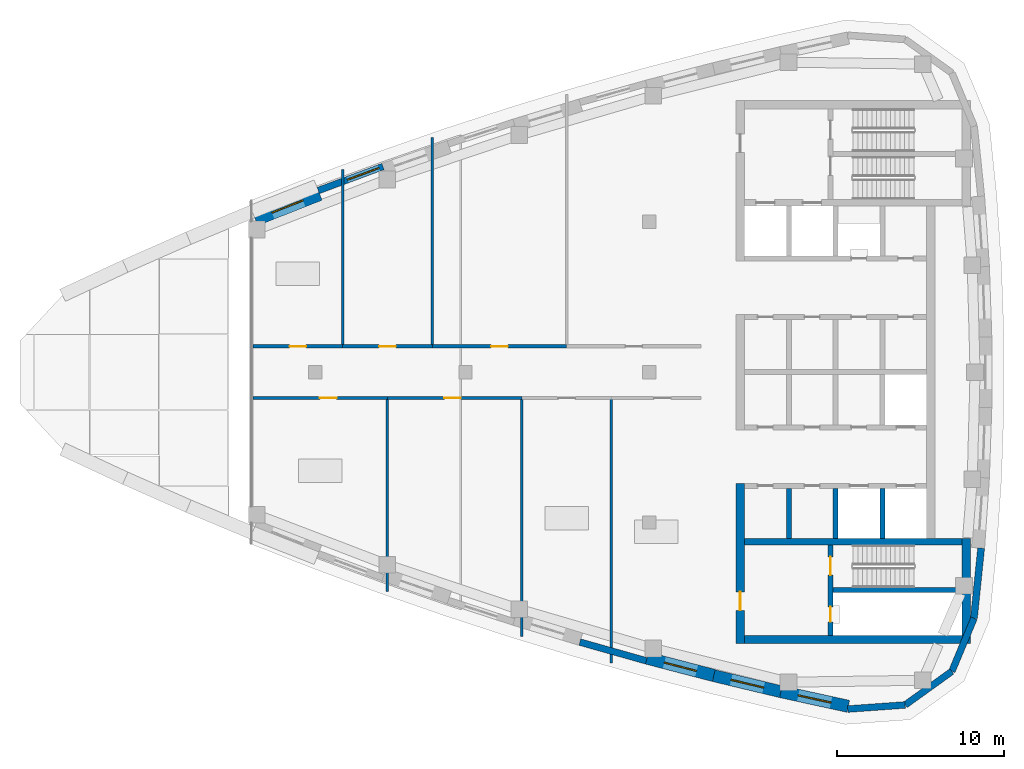
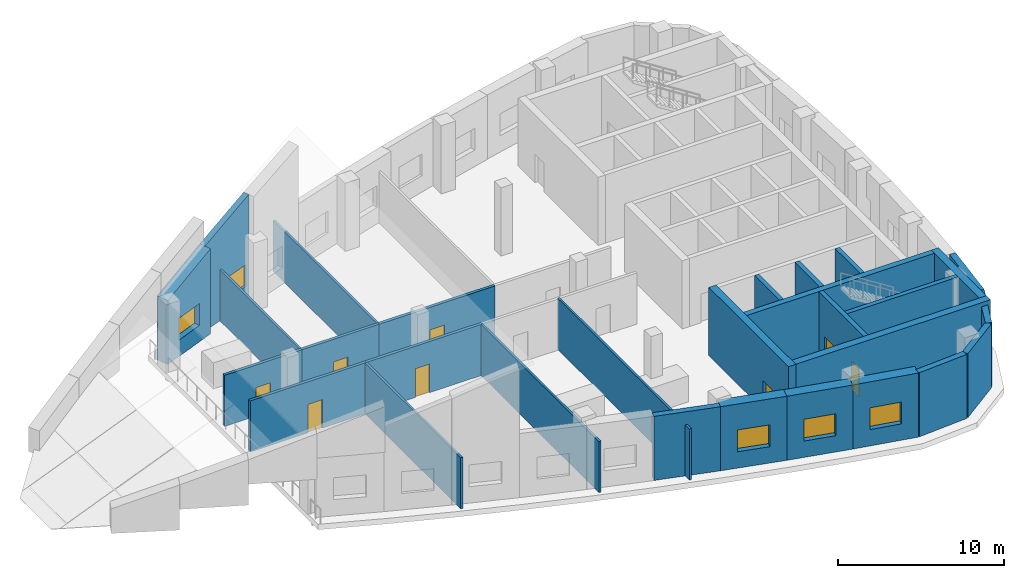
# One storey, part 2 of 8: 29 walls, 8 doors, 5 windows, 13 openings.
"""IFC4 building model written with IfcOpenShell, lengths in metres."""

from ifc_helpers import new_model, si_unit, direction, frame, frame_2d, origin, place, context, subcontext, project, spatial, polyline, rectangle, outline, extrude, material, layer, layer_set, type_object, element, fill, save


model = new_model("IFC4")

# Units and contexts
model_context = context("Model", 3, precision=1e-05, world=origin(), true_north=direction((0.0, 1.0)))
body_context = subcontext(model_context, "Body", "Model", "MODEL_VIEW")
ifc_project = project(units=[si_unit("LENGTHUNIT", "METRE"), si_unit("AREAUNIT", "SQUARE_METRE"), si_unit("VOLUMEUNIT", "CUBIC_METRE"), si_unit("PLANEANGLEUNIT", "RADIAN"), si_unit("MASSUNIT", "GRAM", prefix="KILO")], contexts=[model_context])

# Site, building, storey
site_placement = place(None, origin())
site = spatial("IfcSite", under=ifc_project, at=site_placement, CompositionType="ELEMENT")
building_placement = place(site_placement, origin())
building = spatial("IfcBuilding", under=site, at=building_placement, Name="Ostrand Prow Hotel Tower", CompositionType="ELEMENT")
storey_placement = place(building_placement, frame((0.0, 0.0, 327.39990234375)))
storey = spatial("IfcBuildingStorey", under=building, at=storey_placement, Name="C5", CompositionType="ELEMENT", Elevation=327.39990234375)

# Walls
ifc_material_1 = material(Name="Concrete C40/50", Category="concrete")
ifc_layer_1 = layer(ifc_material_1, 0.300048828125)
ifc_layer_set_1 = layer_set([ifc_layer_1], Name="Concrete C40/50")
wall_type_1 = type_object("IfcWallType", Name="Core wall 300 C40/50", PredefinedType="SHEAR", material=ifc_layer_set_1)
for number, where, z_axis, x_axis, name in (
    (1, (53.35009765625, -9.949951171875, 0.0), (0.0, 0.0, 1.0), (0.0, 1.0, 0.0), "Core wall PW-R1-SA"),
    (2, (56.14990234375, -9.949951171875, 0.0), (0.0, 0.0, 1.0), (0.0, 1.0, 0.0), "Core wall PW-R2-SA"),
    (3, (58.949951171875, -9.949951171875, 0.0), (0.0, 0.0, 1.0), (0.0, 1.0, 0.0), "Core wall PW-R3-SA"),
):
    element("IfcWall", number, at=place(storey_placement, frame(where, z_axis=z_axis, x_axis=x_axis)), inside=storey, type_object=wall_type_1, Name=name, PredefinedType="SHEAR", context=body_context, shape_type="SweptSolid", body=[
        extrude(rectangle(XDim=3.0, YDim=0.300048828125, at=frame_2d((1.5, 0.0))), origin(), (0.0, 0.0, 1.0), 5.0),
    ])

# Wall, openings, doors
wall_1_placement = place(storey_placement, frame((55.85009765625, -15.75, 0.0), z_axis=(0.0, 0.0, 1.0), x_axis=(0.0, 1.0, 0.0)))
wall_1 = element("IfcWall", 4, at=wall_1_placement, inside=storey, type_object=wall_type_1, Name="Core wall PW-VS", PredefinedType="SHEAR", context=body_context, shape_type="SweptSolid", body=[
    extrude(rectangle(XDim=5.39990234375, YDim=0.300048828125, at=frame_2d((2.699951171875, 0.0))), origin(), (0.0, 0.0, 1.0), 5.0),
])
opening_1_placement = place(wall_1_placement, frame((3.60009765625, 0.0, 0.0)))
opening_1 = element("IfcOpeningElement", 5, at=opening_1_placement, cuts=wall_1, Name="Opening FD1", PredefinedType="OPENING", context=body_context, shape_type="SweptSolid", body=[
    extrude(rectangle(XDim=1.10009765625, YDim=2.10009765625, at=frame_2d((0.550048828125, 1.050048828125))), frame((0.0, 0.159912109375, 0.0), z_axis=(0.0, -1.0, 0.0), x_axis=(1.0, 0.0, 0.0)), (0.0, 0.0, 1.0), 0.320068359375),
])
opening_2_placement = place(wall_1_placement, frame((0.800048828125, 0.0, 0.0)))
opening_2 = element("IfcOpeningElement", 6, at=opening_2_placement, cuts=wall_1, Name="Opening FD2", PredefinedType="OPENING", context=body_context, shape_type="SweptSolid", body=[
    extrude(rectangle(XDim=0.89990234375, YDim=2.10009765625, at=frame_2d((0.449951171875, 1.050048828125))), frame((0.0, 0.159912109375, 0.0), z_axis=(0.0, -1.0, 0.0), x_axis=(1.0, 0.0, 0.0)), (0.0, 0.0, 1.0), 0.320068359375),
])
ifc_material_2 = material(Name="Steel fire door", Category="steel")
door_type_1 = type_object("IfcDoorType", Name="Fire door 1100 EI120", OperationType="SINGLE_SWING_RIGHT", PredefinedType="DOOR", material=ifc_material_2)
door_1_placement = place(opening_1_placement, origin())
door_1 = element("IfcDoor", 7, at=door_1_placement, inside=storey, type_object=door_type_1, Name="FIRE DOOR", OperationType="SINGLE_SWING_RIGHT", OverallHeight=2.10009765625, OverallWidth=1.10009765625, PredefinedType="DOOR", context=body_context, shape_type="SweptSolid", body=[
    extrude(rectangle(XDim=1.10009765625, YDim=2.10009765625, at=frame_2d((0.550048828125, 1.050048828125))), frame((0.0, 0.02490234375, 0.0), z_axis=(0.0, -1.0, 0.0), x_axis=(1.0, 0.0, 0.0)), (0.0, 0.0, 1.0), 0.050048828125),
])
fill(opening_1, door_1)
ifc_material_3 = material(Name="Steel fire door", Category="steel")
door_type_2 = type_object("IfcDoorType", Name="Fire door 900 EI120", OperationType="SINGLE_SWING_LEFT", PredefinedType="DOOR", material=ifc_material_3)
door_2_placement = place(opening_2_placement, origin())
door_2 = element("IfcDoor", 8, at=door_2_placement, inside=storey, type_object=door_type_2, Name="FIRE DOOR", OperationType="SINGLE_SWING_LEFT", OverallHeight=2.10009765625, OverallWidth=0.89990234375, PredefinedType="DOOR", context=body_context, shape_type="SweptSolid", body=[
    extrude(rectangle(XDim=0.89990234375, YDim=2.10009765625, at=frame_2d((0.449951171875, 1.050048828125))), frame((0.0, 0.02490234375, 0.0), z_axis=(0.0, -1.0, 0.0), x_axis=(1.0, 0.0, 0.0)), (0.0, 0.0, 1.0), 0.050048828125),
])
fill(opening_2, door_2)

# Walls
wall_2_placement = place(storey_placement, frame((56.0, -13.050048828125, 0.0), z_axis=(0.0, 0.0, 1.0), x_axis=(1.0, 0.0, 0.0)))
element("IfcWall", 9, at=wall_2_placement, inside=storey, type_object=wall_type_1, Name="Core wall PW-ST2R", PredefinedType="SHEAR", context=body_context, shape_type="SweptSolid", body=[
    extrude(rectangle(XDim=7.719970703125, YDim=0.300048828125, at=frame_2d((3.85986328125, 0.0))), origin(), (0.0, 0.0, 1.0), 5.0),
])
ifc_material_4 = material(Name="Concrete C40/50", Category="concrete")
ifc_layer_2 = layer(ifc_material_4, 0.39990234375)
ifc_layer_set_2 = layer_set([ifc_layer_2], Name="Concrete C40/50")
wall_type_2 = type_object("IfcWallType", Name="Core wall 400 C40/50", PredefinedType="SHEAR", material=ifc_layer_set_2)
wall_3_placement = place(storey_placement, frame((50.699951171875, -10.14990234375, 0.0), z_axis=(0.0, 0.0, 1.0), x_axis=(1.0, 0.0, 0.0)))
element("IfcWall", 10, at=wall_3_placement, inside=storey, type_object=wall_type_2, Name="Core wall PW-BS", PredefinedType="SHEAR", context=body_context, shape_type="SweptSolid", body=[
    extrude(rectangle(XDim=13.02001953125, YDim=0.39990234375, at=frame_2d((6.510009765625, 0.0))), origin(), (0.0, 0.0, 1.0), 5.0),
])

# Wall, opening, door
ifc_material_5 = material(Name="Concrete C40/50", Category="concrete")
ifc_layer_3 = layer(ifc_material_5, 0.5)
ifc_layer_set_3 = layer_set([ifc_layer_3], Name="Concrete C40/50")
wall_type_3 = type_object("IfcWallType", Name="Core wall 500 C40/50", PredefinedType="SHEAR", material=ifc_layer_set_3)
wall_4_placement = place(storey_placement, frame((50.449951171875, -16.25, 0.0), z_axis=(0.0, 0.0, 1.0), x_axis=(0.0, 1.0, 0.0)))
wall_4 = element("IfcWall", 11, at=wall_4_placement, inside=storey, type_object=wall_type_3, Name="Core wall CW-W-S", PredefinedType="SHEAR", context=body_context, shape_type="SweptSolid", body=[
    extrude(rectangle(XDim=9.60009765625, YDim=0.5, at=frame_2d((4.800048828125, 0.0))), origin(), (0.0, 0.0, 1.0), 5.0),
])
opening_3_placement = place(wall_4_placement, frame((2.0, 0.0, 0.0)))
opening_3 = element("IfcOpeningElement", 12, at=opening_3_placement, cuts=wall_4, Name="Opening FD1", PredefinedType="OPENING", context=body_context, shape_type="SweptSolid", body=[
    extrude(rectangle(XDim=1.10009765625, YDim=2.10009765625, at=frame_2d((0.550048828125, 1.050048828125))), frame((0.0, 0.260009765625, 0.0), z_axis=(0.0, -1.0, 0.0), x_axis=(1.0, 0.0, 0.0)), (0.0, 0.0, 1.0), 0.52001953125),
])
door_3_placement = place(opening_3_placement, origin())
door_3 = element("IfcDoor", 13, at=door_3_placement, inside=storey, type_object=door_type_1, Name="FIRE DOOR", OperationType="SINGLE_SWING_RIGHT", OverallHeight=2.10009765625, OverallWidth=1.10009765625, PredefinedType="DOOR", context=body_context, shape_type="SweptSolid", body=[
    extrude(rectangle(XDim=1.10009765625, YDim=2.10009765625, at=frame_2d((0.550048828125, 1.050048828125))), frame((0.0, 0.02490234375, 0.0), z_axis=(0.0, -1.0, 0.0), x_axis=(1.0, 0.0, 0.0)), (0.0, 0.0, 1.0), 0.050048828125),
])
fill(opening_3, door_3)

# Walls
wall_5_placement = place(storey_placement, frame((50.699951171875, -16.0, 0.0), z_axis=(0.0, 0.0, 1.0), x_axis=(1.0, 0.0, 0.0)))
element("IfcWall", 14, at=wall_5_placement, inside=storey, type_object=wall_type_3, Name="Core wall CW-S", PredefinedType="SHEAR", context=body_context, shape_type="SweptSolid", body=[
    extrude(rectangle(XDim=13.52001953125, YDim=0.5, at=frame_2d((6.760009765625, 0.0))), origin(), (0.0, 0.0, 1.0), 5.0),
])
wall_6_placement = place(storey_placement, frame((63.969970703125, -15.75, 0.0), z_axis=(0.0, 0.0, 1.0), x_axis=(0.0, 1.0, 0.0)))
element("IfcWall", 15, at=wall_6_placement, inside=storey, type_object=wall_type_3, Name="Core wall CW-E-S", PredefinedType="SHEAR", context=body_context, shape_type="SweptSolid", body=[
    extrude(rectangle(XDim=5.800048828125, YDim=0.5, at=frame_2d((2.89990234375, 0.0))), origin(), (0.0, 0.0, 1.0), 5.0),
])
ifc_material_6 = material(Name="Plasterboard partition")
ifc_layer_4 = layer(ifc_material_6, 0.14990234375)
ifc_layer_set_4 = layer_set([ifc_layer_4], Name="Plasterboard partition")
wall_type_4 = type_object("IfcWallType", Name="Partition 150 room partition", PredefinedType="PARTITIONING", material=ifc_layer_set_4)
wall_7_placement = place(storey_placement, frame((29.3310546875, -13.1240234375, 0.0), z_axis=(0.0, 0.0, 1.0), x_axis=(0.0, 1.0, 0.0)))
element("IfcWall", 16, at=wall_7_placement, inside=storey, type_object=wall_type_4, Name="ROOM PARTITION", PredefinedType="PARTITIONING", context=body_context, shape_type="SweptSolid", body=[
    extrude(rectangle(XDim=11.581298828125, YDim=0.14990234375, at=frame_2d((5.79052734375, 0.0))), origin(), (0.0, 0.0, 1.0), 3.75),
])
wall_8_placement = place(storey_placement, frame((37.375, -15.80908203125, 0.0), z_axis=(0.0, 0.0, 1.0), x_axis=(0.0, 1.0, 0.0)))
element("IfcWall", 17, at=wall_8_placement, inside=storey, type_object=wall_type_4, Name="ROOM PARTITION", PredefinedType="PARTITIONING", context=body_context, shape_type="SweptSolid", body=[
    extrude(rectangle(XDim=14.266357421875, YDim=0.14990234375, at=frame_2d((7.13330078125, 0.0))), origin(), (0.0, 0.0, 1.0), 3.75),
])
wall_9_placement = place(storey_placement, frame((42.7373046875, -17.39453125, 0.0), z_axis=(0.0, 0.0, 1.0), x_axis=(0.0, 1.0, 0.0)))
element("IfcWall", 18, at=wall_9_placement, inside=storey, type_object=wall_type_4, Name="ROOM PARTITION", PredefinedType="PARTITIONING", context=body_context, shape_type="SweptSolid", body=[
    extrude(rectangle(XDim=15.851806640625, YDim=0.14990234375, at=frame_2d((7.92578125, 0.0))), origin(), (0.0, 0.0, 1.0), 3.75),
])
wall_10_placement = place(storey_placement, frame((26.649658203125, 1.542724609375, 0.0), z_axis=(0.0, 0.0, 1.0), x_axis=(0.0, 1.0, 0.0)))
element("IfcWall", 19, at=wall_10_placement, inside=storey, type_object=wall_type_4, Name="ROOM PARTITION", PredefinedType="PARTITIONING", context=body_context, shape_type="SweptSolid", body=[
    extrude(rectangle(XDim=10.59716796875, YDim=0.14990234375, at=frame_2d((5.298583984375, 0.0))), origin(), (0.0, 0.0, 1.0), 3.75),
])
wall_11_placement = place(storey_placement, frame((32.01220703125, 1.542724609375, 0.0), z_axis=(0.0, 0.0, 1.0), x_axis=(0.0, 1.0, 0.0)))
element("IfcWall", 20, at=wall_11_placement, inside=storey, type_object=wall_type_4, Name="ROOM PARTITION", PredefinedType="PARTITIONING", context=body_context, shape_type="SweptSolid", body=[
    extrude(rectangle(XDim=12.515869140625, YDim=0.14990234375, at=frame_2d((6.2578125, 0.0))), origin(), (0.0, 0.0, 1.0), 3.75),
])

# Wall, opening, door
ifc_material_7 = material(Name="Plasterboard partition")
ifc_layer_5 = layer(ifc_material_7, 0.199951171875)
ifc_layer_set_5 = layer_set([ifc_layer_5], Name="Plasterboard partition")
wall_type_5 = type_object("IfcWallType", Name="Partition 200 corridor wall", PredefinedType="PARTITIONING", material=ifc_layer_set_5)
wall_12_placement = place(storey_placement, frame((21.287109375, -1.542724609375, 0.0), z_axis=(0.0, 0.0, 1.0), x_axis=(1.0, 0.0, 0.0)))
wall_12 = element("IfcWall", 21, at=wall_12_placement, inside=storey, type_object=wall_type_5, Name="CORRIDOR WALL", PredefinedType="PARTITIONING", context=body_context, shape_type="SweptSolid", body=[
    extrude(rectangle(XDim=8.0439453125, YDim=0.199951171875, at=frame_2d((4.02197265625, 0.0))), origin(), (0.0, 0.0, 1.0), 3.75),
])
opening_4_placement = place(wall_12_placement, frame((4.0, 0.0, 0.0)))
opening_4 = element("IfcOpeningElement", 22, at=opening_4_placement, cuts=wall_12, Name="Opening D1", PredefinedType="OPENING", context=body_context, shape_type="SweptSolid", body=[
    extrude(rectangle(XDim=1.0, YDim=2.10009765625, at=frame_2d((0.5, 1.050048828125))), frame((0.0, 0.10986328125, 0.0), z_axis=(0.0, -1.0, 0.0), x_axis=(1.0, 0.0, 0.0)), (0.0, 0.0, 1.0), 0.219970703125),
])
ifc_material_8 = material(Name="Timber door leaf", Category="wood")
door_type_3 = type_object("IfcDoorType", Name="Guest room door 1000", OperationType="SINGLE_SWING_LEFT", PredefinedType="DOOR", material=ifc_material_8)
door_4_placement = place(opening_4_placement, origin())
door_4 = element("IfcDoor", 23, at=door_4_placement, inside=storey, type_object=door_type_3, Name="DOOR", OperationType="SINGLE_SWING_LEFT", OverallHeight=2.10009765625, OverallWidth=1.0, PredefinedType="DOOR", context=body_context, shape_type="SweptSolid", body=[
    extrude(rectangle(XDim=1.0, YDim=2.10009765625, at=frame_2d((0.5, 1.050048828125))), frame((0.0, 0.02490234375, 0.0), z_axis=(0.0, -1.0, 0.0), x_axis=(1.0, 0.0, 0.0)), (0.0, 0.0, 1.0), 0.050048828125),
])
fill(opening_4, door_4)

wall_13_placement = place(storey_placement, frame((29.3310546875, -1.542724609375, 0.0), z_axis=(0.0, 0.0, 1.0), x_axis=(1.0, 0.0, 0.0)))
wall_13 = element("IfcWall", 24, at=wall_13_placement, inside=storey, type_object=wall_type_5, Name="CORRIDOR WALL", PredefinedType="PARTITIONING", context=body_context, shape_type="SweptSolid", body=[
    extrude(rectangle(XDim=8.0439453125, YDim=0.199951171875, at=frame_2d((4.02197265625, 0.0))), origin(), (0.0, 0.0, 1.0), 3.75),
])
opening_5_placement = place(wall_13_placement, frame((3.39990234375, 0.0, 0.0)))
opening_5 = element("IfcOpeningElement", 25, at=opening_5_placement, cuts=wall_13, Name="Opening D1R", PredefinedType="OPENING", context=body_context, shape_type="SweptSolid", body=[
    extrude(rectangle(XDim=1.0, YDim=2.10009765625, at=frame_2d((0.5, 1.050048828125))), frame((0.0, 0.10986328125, 0.0), z_axis=(0.0, -1.0, 0.0), x_axis=(1.0, 0.0, 0.0)), (0.0, 0.0, 1.0), 0.219970703125),
])
ifc_material_9 = material(Name="Timber door leaf", Category="wood")
door_type_4 = type_object("IfcDoorType", Name="Guest room door 1000 right", OperationType="SINGLE_SWING_RIGHT", PredefinedType="DOOR", material=ifc_material_9)
door_5_placement = place(opening_5_placement, origin())
door_5 = element("IfcDoor", 26, at=door_5_placement, inside=storey, type_object=door_type_4, Name="DOOR", OperationType="SINGLE_SWING_RIGHT", OverallHeight=2.10009765625, OverallWidth=1.0, PredefinedType="DOOR", context=body_context, shape_type="SweptSolid", body=[
    extrude(rectangle(XDim=1.0, YDim=2.10009765625, at=frame_2d((0.5, 1.050048828125))), frame((0.0, 0.02490234375, 0.0), z_axis=(0.0, -1.0, 0.0), x_axis=(1.0, 0.0, 0.0)), (0.0, 0.0, 1.0), 0.050048828125),
])
fill(opening_5, door_5)

wall_14_placement = place(storey_placement, frame((21.287109375, 1.542724609375, 0.0), z_axis=(0.0, 0.0, 1.0), x_axis=(1.0, 0.0, 0.0)))
wall_14 = element("IfcWall", 27, at=wall_14_placement, inside=storey, type_object=wall_type_5, Name="CORRIDOR WALL", PredefinedType="PARTITIONING", context=body_context, shape_type="SweptSolid", body=[
    extrude(rectangle(XDim=5.362548828125, YDim=0.199951171875, at=frame_2d((2.68115234375, 0.0))), origin(), (0.0, 0.0, 1.0), 3.75),
])
opening_6_placement = place(wall_14_placement, frame((2.181396484375, 0.0, 0.0)))
opening_6 = element("IfcOpeningElement", 28, at=opening_6_placement, cuts=wall_14, Name="Opening D1", PredefinedType="OPENING", context=body_context, shape_type="SweptSolid", body=[
    extrude(rectangle(XDim=1.0, YDim=2.10009765625, at=frame_2d((0.5, 1.050048828125))), frame((0.0, 0.10986328125, 0.0), z_axis=(0.0, -1.0, 0.0), x_axis=(1.0, 0.0, 0.0)), (0.0, 0.0, 1.0), 0.219970703125),
])
door_6_placement = place(opening_6_placement, origin())
door_6 = element("IfcDoor", 29, at=door_6_placement, inside=storey, type_object=door_type_3, Name="DOOR", OperationType="SINGLE_SWING_LEFT", OverallHeight=2.10009765625, OverallWidth=1.0, PredefinedType="DOOR", context=body_context, shape_type="SweptSolid", body=[
    extrude(rectangle(XDim=1.0, YDim=2.10009765625, at=frame_2d((0.5, 1.050048828125))), frame((0.0, 0.02490234375, 0.0), z_axis=(0.0, -1.0, 0.0), x_axis=(1.0, 0.0, 0.0)), (0.0, 0.0, 1.0), 0.050048828125),
])
fill(opening_6, door_6)

wall_15_placement = place(storey_placement, frame((26.649658203125, 1.542724609375, 0.0), z_axis=(0.0, 0.0, 1.0), x_axis=(1.0, 0.0, 0.0)))
wall_15 = element("IfcWall", 30, at=wall_15_placement, inside=storey, type_object=wall_type_5, Name="CORRIDOR WALL", PredefinedType="PARTITIONING", context=body_context, shape_type="SweptSolid", body=[
    extrude(rectangle(XDim=5.362548828125, YDim=0.199951171875, at=frame_2d((2.68115234375, 0.0))), origin(), (0.0, 0.0, 1.0), 3.75),
])
opening_7_placement = place(wall_15_placement, frame((2.181396484375, 0.0, 0.0)))
opening_7 = element("IfcOpeningElement", 31, at=opening_7_placement, cuts=wall_15, Name="Opening D1R", PredefinedType="OPENING", context=body_context, shape_type="SweptSolid", body=[
    extrude(rectangle(XDim=1.0, YDim=2.10009765625, at=frame_2d((0.5, 1.050048828125))), frame((0.0, 0.10986328125, 0.0), z_axis=(0.0, -1.0, 0.0), x_axis=(1.0, 0.0, 0.0)), (0.0, 0.0, 1.0), 0.219970703125),
])
door_7_placement = place(opening_7_placement, origin())
door_7 = element("IfcDoor", 32, at=door_7_placement, inside=storey, type_object=door_type_4, Name="DOOR", OperationType="SINGLE_SWING_RIGHT", OverallHeight=2.10009765625, OverallWidth=1.0, PredefinedType="DOOR", context=body_context, shape_type="SweptSolid", body=[
    extrude(rectangle(XDim=1.0, YDim=2.10009765625, at=frame_2d((0.5, 1.050048828125))), frame((0.0, 0.02490234375, 0.0), z_axis=(0.0, -1.0, 0.0), x_axis=(1.0, 0.0, 0.0)), (0.0, 0.0, 1.0), 0.050048828125),
])
fill(opening_7, door_7)

wall_16_placement = place(storey_placement, frame((32.01220703125, 1.542724609375, 0.0), z_axis=(0.0, 0.0, 1.0), x_axis=(1.0, 0.0, 0.0)))
wall_16 = element("IfcWall", 33, at=wall_16_placement, inside=storey, type_object=wall_type_5, Name="CORRIDOR WALL", PredefinedType="PARTITIONING", context=body_context, shape_type="SweptSolid", body=[
    extrude(rectangle(XDim=8.0439453125, YDim=0.199951171875, at=frame_2d((4.02197265625, 0.0))), origin(), (0.0, 0.0, 1.0), 3.75),
])
opening_8_placement = place(wall_16_placement, frame((3.52197265625, 0.0, 0.0)))
opening_8 = element("IfcOpeningElement", 34, at=opening_8_placement, cuts=wall_16, Name="Opening D1", PredefinedType="OPENING", context=body_context, shape_type="SweptSolid", body=[
    extrude(rectangle(XDim=1.0, YDim=2.10009765625, at=frame_2d((0.5, 1.050048828125))), frame((0.0, 0.10986328125, 0.0), z_axis=(0.0, -1.0, 0.0), x_axis=(1.0, 0.0, 0.0)), (0.0, 0.0, 1.0), 0.219970703125),
])
door_8_placement = place(opening_8_placement, origin())
door_8 = element("IfcDoor", 35, at=door_8_placement, inside=storey, type_object=door_type_3, Name="DOOR", OperationType="SINGLE_SWING_LEFT", OverallHeight=2.10009765625, OverallWidth=1.0, PredefinedType="DOOR", context=body_context, shape_type="SweptSolid", body=[
    extrude(rectangle(XDim=1.0, YDim=2.10009765625, at=frame_2d((0.5, 1.050048828125))), frame((0.0, 0.02490234375, 0.0), z_axis=(0.0, -1.0, 0.0), x_axis=(1.0, 0.0, 0.0)), (0.0, 0.0, 1.0), 0.050048828125),
])
fill(opening_8, door_8)

# Wall
ifc_material_10 = material(Name="Precast concrete C40/50", Category="concrete")
ifc_layer_6 = layer(ifc_material_10, 0.39990234375)
ifc_layer_set_6 = layer_set([ifc_layer_6], Name="Precast concrete C40/50")
wall_type_6 = type_object("IfcWallType", Name="Stone-faced precast wall 400 mm", PredefinedType="NOTDEFINED", material=ifc_layer_set_6)
wall_17_placement = place(storey_placement, frame((40.846435546875, -16.154296875, 0.0), z_axis=(0.0, 0.0, 1.0), x_axis=(0.962397415317, -0.27164538463, 0.0)))
element("IfcWall", 36, at=wall_17_placement, inside=storey, type_object=wall_type_6, Name="Crown side wall C5 12", PredefinedType="NOTDEFINED", context=body_context, shape_type="SweptSolid", body=[
    extrude(rectangle(XDim=4.13232421875, YDim=0.39990234375, at=frame_2d((2.066162109375, 0.0))), origin(), (0.0, 0.0, 1.0), 4.7001953125),
])

# Wall, opening, window
wall_18_placement = place(storey_placement, frame((44.8671875, -17.110107421875, 0.0), z_axis=(0.0, 0.0, 1.0), x_axis=(0.967657413064, -0.252267974466, 0.0)))
wall_18 = element("IfcWall", 37, at=wall_18_placement, inside=storey, type_object=wall_type_6, Name="Crown side wall C5 13", PredefinedType="NOTDEFINED", context=body_context, shape_type="SweptSolid", body=[
    extrude(rectangle(XDim=4.13232421875, YDim=0.74462890625, at=frame_2d((2.066162109375, 0.0))), origin(), (0.0, 0.0, 1.0), 4.7001953125),
])
opening_9_placement = place(wall_18_placement, frame((1.06640625, 0.0, 1.199951171875)))
opening_9 = element("IfcOpeningElement", 38, at=opening_9_placement, cuts=wall_18, Name="Opening WV1", PredefinedType="OPENING", context=body_context, shape_type="SweptSolid", body=[
    extrude(rectangle(XDim=2.0, YDim=1.60009765625, at=frame_2d((1.0, 0.800048828125))), frame((0.0, 0.38232421875, 0.0), z_axis=(0.0, -1.0, 0.0), x_axis=(1.0, 0.0, 0.0)), (0.0, 0.0, 1.0), 0.7646484375),
])
ifc_material_11 = material(Name="Bronze anodised aluminium louvre", Category="aluminium")
window_type = type_object("IfcWindowType", Name="Louvre vent 2000x1600", PartitioningType="SINGLE_PANEL", PredefinedType="WINDOW", material=ifc_material_11)
window_1_placement = place(opening_9_placement, origin())
window_1 = element("IfcWindow", 39, at=window_1_placement, inside=storey, type_object=window_type, Name="Louvre vent 13.1", OverallHeight=1.60009765625, OverallWidth=2.0, PartitioningType="SINGLE_PANEL", PredefinedType="WINDOW", context=body_context, shape_type="SweptSolid", body=[
    extrude(rectangle(XDim=2.0, YDim=1.60009765625, at=frame_2d((1.0, 0.800048828125))), frame((0.0, 0.030029296875, 0.0), z_axis=(0.0, -1.0, 0.0), x_axis=(1.0, 0.0, 0.0)), (0.0, 0.0, 1.0), 0.06005859375),
])
fill(opening_9, window_1)

wall_19_placement = place(storey_placement, frame((48.85986328125, -18.163330078125, 0.0), z_axis=(0.0, 0.0, 1.0), x_axis=(0.972546345517, -0.232709273174, 0.0)))
wall_19 = element("IfcWall", 40, at=wall_19_placement, inside=storey, type_object=wall_type_6, Name="Crown side wall C5 14", PredefinedType="NOTDEFINED", context=body_context, shape_type="SweptSolid", body=[
    extrude(rectangle(XDim=4.132568359375, YDim=0.720703125, at=frame_2d((2.06640625, 0.0))), origin(), (0.0, 0.0, 1.0), 4.7001953125),
])
opening_10_placement = place(wall_19_placement, frame((1.06640625, 0.0, 1.199951171875)))
opening_10 = element("IfcOpeningElement", 41, at=opening_10_placement, cuts=wall_19, Name="Opening WV1", PredefinedType="OPENING", context=body_context, shape_type="SweptSolid", body=[
    extrude(rectangle(XDim=2.0, YDim=1.60009765625, at=frame_2d((1.0, 0.800048828125))), frame((0.0, 0.370361328125, 0.0), z_axis=(0.0, -1.0, 0.0), x_axis=(1.0, 0.0, 0.0)), (0.0, 0.0, 1.0), 0.74072265625),
])
window_2_placement = place(opening_10_placement, origin())
window_2 = element("IfcWindow", 42, at=window_2_placement, inside=storey, type_object=window_type, Name="Louvre vent 14.1", OverallHeight=1.60009765625, OverallWidth=2.0, PartitioningType="SINGLE_PANEL", PredefinedType="WINDOW", context=body_context, shape_type="SweptSolid", body=[
    extrude(rectangle(XDim=2.0, YDim=1.60009765625, at=frame_2d((1.0, 0.800048828125))), frame((0.0, 0.030029296875, 0.0), z_axis=(0.0, -1.0, 0.0), x_axis=(1.0, 0.0, 0.0)), (0.0, 0.0, 1.0), 0.06005859375),
])
fill(opening_10, window_2)

wall_20_placement = place(storey_placement, frame((52.876953125, -19.11865234375, 0.0), z_axis=(0.0, 0.0, 1.0), x_axis=(0.977019340581, -0.213150670022, 0.0)))
wall_20 = element("IfcWall", 43, at=wall_20_placement, inside=storey, type_object=wall_type_6, Name="Crown side wall C5 15", PredefinedType="NOTDEFINED", context=body_context, shape_type="SweptSolid", body=[
    extrude(rectangle(XDim=4.132568359375, YDim=0.732666015625, at=frame_2d((2.06640625, 0.0))), origin(), (0.0, 0.0, 1.0), 4.7001953125),
])
opening_11_placement = place(wall_20_placement, frame((1.06640625, 0.0, 1.199951171875)))
opening_11 = element("IfcOpeningElement", 44, at=opening_11_placement, cuts=wall_20, Name="Opening WV1", PredefinedType="OPENING", context=body_context, shape_type="SweptSolid", body=[
    extrude(rectangle(XDim=2.0, YDim=1.60009765625, at=frame_2d((1.0, 0.800048828125))), frame((0.0, 0.376220703125, 0.0), z_axis=(0.0, -1.0, 0.0), x_axis=(1.0, 0.0, 0.0)), (0.0, 0.0, 1.0), 0.752685546875),
])
window_3_placement = place(opening_11_placement, origin())
window_3 = element("IfcWindow", 45, at=window_3_placement, inside=storey, type_object=window_type, Name="Louvre vent 15.1", OverallHeight=1.60009765625, OverallWidth=2.0, PartitioningType="SINGLE_PANEL", PredefinedType="WINDOW", context=body_context, shape_type="SweptSolid", body=[
    extrude(rectangle(XDim=2.0, YDim=1.60009765625, at=frame_2d((1.0, 0.800048828125))), frame((0.0, 0.030029296875, 0.0), z_axis=(0.0, -1.0, 0.0), x_axis=(1.0, 0.0, 0.0)), (0.0, 0.0, 1.0), 0.06005859375),
])
fill(opening_11, window_3)

# Walls
wall_21_placement = place(storey_placement, frame((56.87890625, -20.161865234375, 0.0), z_axis=(0.0, 0.0, 1.0), x_axis=(0.997465171407, 0.071156389945, 0.0)))
element("IfcWall", 46, at=wall_21_placement, inside=storey, type_object=wall_type_6, Name="Crown side wall C5 16", PredefinedType="NOTDEFINED", context=body_context, shape_type="SweptSolid", body=[
    extrude(rectangle(XDim=3.44482421875, YDim=0.39990234375, at=frame_2d((1.722412109375, 0.0))), origin(), (0.0, 0.0, 1.0), 4.7001953125),
])
for number, where, z_axis, x_axis, name in (
    (47, (60.31494140625, -19.916748046875, 0.0), (0.0, 0.0, 1.0), (0.811948187253, 0.583729510319, 0.0), "Crown side wall C5 17"),
    (48, (63.11181640625, -17.906005859375, 0.0), (0.0, 0.0, 1.0), (0.385279586197, 0.922799891884, 0.0), "Crown side wall C5 18"),
):
    element("IfcWall", number, at=place(storey_placement, frame(where, z_axis=z_axis, x_axis=x_axis)), inside=storey, type_object=wall_type_6, Name=name, PredefinedType="NOTDEFINED", context=body_context, shape_type="SweptSolid", body=[
        extrude(rectangle(XDim=3.444580078125, YDim=0.39990234375, at=frame_2d((1.72216796875, 0.0))), origin(), (0.0, 0.0, 1.0), 4.7001953125),
    ])
wall_22_placement = place(storey_placement, frame((64.43212890625, -14.726806640625, 0.0), z_axis=(0.0, 0.0, 1.0), x_axis=(0.102219795478, 0.994761837533, 0.0)))
element("IfcWall", 49, at=wall_22_placement, inside=storey, type_object=wall_type_6, Name="Crown side wall C5 19", PredefinedType="NOTDEFINED", context=body_context, shape_type="SweptSolid", body=[
    extrude(rectangle(XDim=4.2177734375, YDim=0.413818359375, at=frame_2d((2.10888671875, 0.0))), origin(), (0.0, 0.0, 1.0), 4.7001953125),
])

# Wall, opening, window
wall_23_placement = place(storey_placement, frame((29.061767578125, 12.31005859375, 0.0), z_axis=(0.0, 0.0, 1.0), x_axis=(-0.937460527937, -0.348091595072, 0.0)))
wall_23 = element("IfcWall", 50, at=wall_23_placement, inside=storey, type_object=wall_type_6, Name="Crown side wall C5 36", PredefinedType="NOTDEFINED", context=body_context, shape_type="SweptSolid", body=[
    extrude(outline(polyline([(0.0, 0.0), (4.132568359375, 0.0), (4.132568359375, 6.23583984375), (0.0, 7.801025390625), (0.0, 0.0)])), frame((0.0, 0.199951171875, 0.0), z_axis=(0.0, -1.0, 0.0), x_axis=(1.0, 0.0, 0.0)), (0.0, 0.0, 1.0), 0.39990234375),
])
opening_12_placement = place(wall_23_placement, frame((0.266357421875, 0.0, 1.199951171875)))
opening_12 = element("IfcOpeningElement", 51, at=opening_12_placement, cuts=wall_23, Name="Opening WV1", PredefinedType="OPENING", context=body_context, shape_type="SweptSolid", body=[
    extrude(rectangle(XDim=2.0, YDim=1.60009765625, at=frame_2d((1.0, 0.800048828125))), frame((0.0, 0.2099609375, 0.0), z_axis=(0.0, -1.0, 0.0), x_axis=(1.0, 0.0, 0.0)), (0.0, 0.0, 1.0), 0.419921875),
])
window_4_placement = place(opening_12_placement, origin())
window_4 = element("IfcWindow", 52, at=window_4_placement, inside=storey, type_object=window_type, Name="Louvre vent 36.1", OverallHeight=1.60009765625, OverallWidth=2.0, PartitioningType="SINGLE_PANEL", PredefinedType="WINDOW", context=body_context, shape_type="SweptSolid", body=[
    extrude(rectangle(XDim=2.0, YDim=1.60009765625, at=frame_2d((1.0, 0.800048828125))), frame((0.0, 0.030029296875, 0.0), z_axis=(0.0, -1.0, 0.0), x_axis=(1.0, 0.0, 0.0)), (0.0, 0.0, 1.0), 0.06005859375),
])
fill(opening_12, window_4)

wall_24_placement = place(storey_placement, frame((25.2666015625, 10.671875, 0.0), z_axis=(0.0, 0.0, 1.0), x_axis=(-0.930294795216, -0.366812750587, 0.0)))
wall_24 = element("IfcWall", 53, at=wall_24_placement, inside=storey, type_object=wall_type_6, Name="Crown side wall C5 37", PredefinedType="NOTDEFINED", context=body_context, shape_type="SweptSolid", body=[
    extrude(outline(polyline([(0.0, 0.0), (4.132568359375, 0.0), (4.132568359375, 4.682861328125), (0.0, 6.23583984375), (0.0, 0.0)])), frame((0.0, 0.414794921875, 0.0), z_axis=(0.0, -1.0, 0.0), x_axis=(1.0, 0.0, 0.0)), (0.0, 0.0, 1.0), 0.82958984375),
])
opening_13_placement = place(wall_24_placement, frame((1.06640625, 0.0, 1.199951171875)))
opening_13 = element("IfcOpeningElement", 54, at=opening_13_placement, cuts=wall_24, Name="Opening WV1", PredefinedType="OPENING", context=body_context, shape_type="SweptSolid", body=[
    extrude(rectangle(XDim=2.0, YDim=1.60009765625, at=frame_2d((1.0, 0.800048828125))), frame((0.0, 0.4248046875, 0.0), z_axis=(0.0, -1.0, 0.0), x_axis=(1.0, 0.0, 0.0)), (0.0, 0.0, 1.0), 0.849609375),
])
window_5_placement = place(opening_13_placement, origin())
window_5 = element("IfcWindow", 55, at=window_5_placement, inside=storey, type_object=window_type, Name="Louvre vent 37.1", OverallHeight=1.60009765625, OverallWidth=2.0, PartitioningType="SINGLE_PANEL", PredefinedType="WINDOW", context=body_context, shape_type="SweptSolid", body=[
    extrude(rectangle(XDim=2.0, YDim=1.60009765625, at=frame_2d((1.0, 0.800048828125))), frame((0.0, 0.030029296875, 0.0), z_axis=(0.0, -1.0, 0.0), x_axis=(1.0, 0.0, 0.0)), (0.0, 0.0, 1.0), 0.06005859375),
])
fill(opening_13, window_5)

save(model, "model.ifc")
